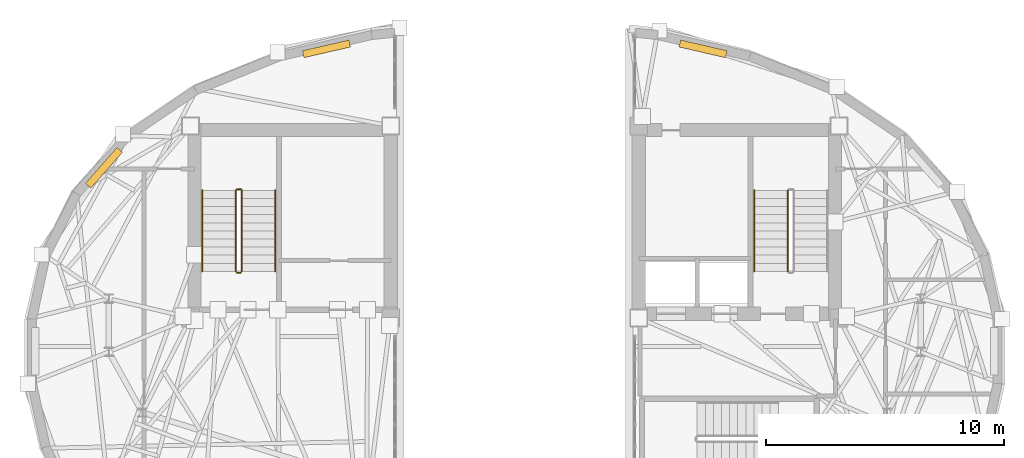
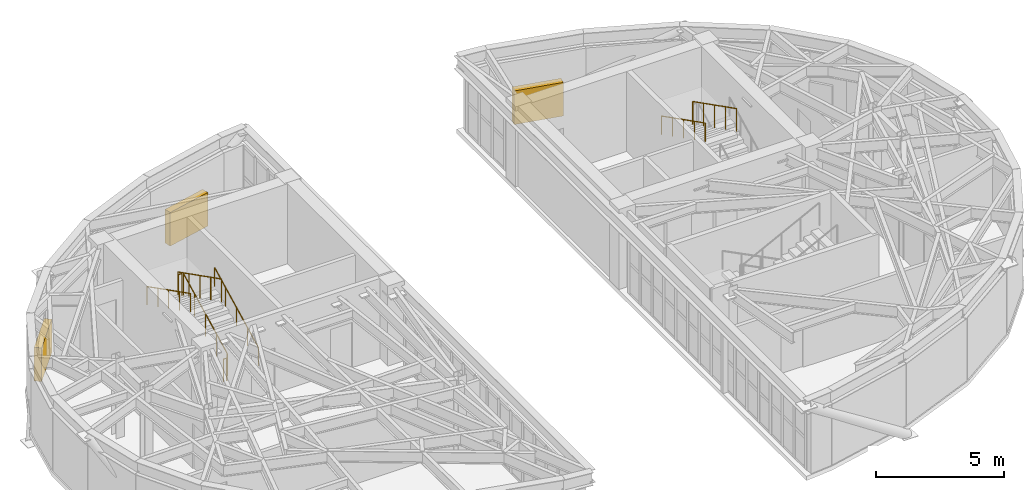
# One storey, part 12 of 13: 8 railings, 3 shading devices.
"""IFC4 building model written with IfcOpenShell, lengths in metres."""

from ifc_helpers import new_model, si_unit, direction, frame, origin, origin_2d, place, context, subcontext, project, spatial, rectangle, circle, extrude, material, type_object, element, save


model = new_model("IFC4")

# Units and contexts
model_context = context("Model", 3, precision=1e-05, world=origin(), true_north=direction((0.0, 1.0)))
body_context = subcontext(model_context, "Body", "Model", "MODEL_VIEW")
ifc_project = project(units=[si_unit("LENGTHUNIT", "METRE"), si_unit("AREAUNIT", "SQUARE_METRE"), si_unit("VOLUMEUNIT", "CUBIC_METRE"), si_unit("PLANEANGLEUNIT", "RADIAN"), si_unit("MASSUNIT", "GRAM", prefix="KILO")], contexts=[model_context])

# Site, building, storey
site_placement = place(None, origin())
site = spatial("IfcSite", under=ifc_project, at=site_placement, CompositionType="ELEMENT")
building_placement = place(site_placement, origin())
building = spatial("IfcBuilding", under=site, at=building_placement, Name="Keldmark Tower", CompositionType="ELEMENT")
storey_placement = place(building_placement, frame((0.0, 0.0, 276.800048828125)))
storey = spatial("IfcBuildingStorey", under=building, at=storey_placement, Name="L78", CompositionType="ELEMENT", Elevation=276.800048828125)

# Shading devices
ifc_material_1 = material(Name="Fluoropolymer-Coated Extruded Aluminum Stormproof Blades", Category="aluminium")
shading_device_type = type_object("IfcShadingDeviceType", Name="Mechanical Floor Acoustic Intake Louvre", PredefinedType="JALOUSIE", material=ifc_material_1)
for number, where, z_axis, x_axis, name in (
    (1, (7.897216796875, 12.6826171875, 0.0), (0.0, 0.0, 1.0), (-0.974444607804, 0.224627928632, 0.0), "L78 Crown Screen Acoustic Louvre E01"),
    (2, (-17.22900390625, 7.69580078125, 0.0), (0.0, 0.0, 1.0), (-0.660958310395, -0.750422622206, 0.0), "L78 Crown Screen Acoustic Louvre W10"),
    (3, (-7.897216796875, 12.6826171875, 0.0), (0.0, 0.0, 1.0), (-0.974444607804, -0.224627928632, 0.0), "L78 Crown Screen Acoustic Louvre W13"),
):
    element("IfcShadingDevice", number, at=place(storey_placement, frame(where, z_axis=z_axis, x_axis=x_axis)), inside=storey, type_object=shading_device_type, Name=name, PredefinedType="JALOUSIE", context=body_context, shape_type="SweptSolid", body=[
        extrude(rectangle(XDim=2.0, YDim=0.300048828125, at=origin_2d()), origin(), (0.0, 0.0, 1.0), 1.60009765625),
    ])

# Railings
ifc_material_2 = material(Name="Painted Steel ASTM A500 Grade B", Category="steel")
railing_type_1 = type_object("IfcRailingType", Name="Painted Steel Stair Well Guard 1100 mm", PredefinedType="GUARDRAIL", material=ifc_material_2)
railing_1_placement = place(storey_placement, frame((-11.449951171875, 3.35009765625, 0.172607421875)))
element("IfcRailing", 4, at=railing_1_placement, inside=storey, type_object=railing_type_1, Name="L78 ST1 stair guard 1", PredefinedType="GUARDRAIL", context=body_context, shape_type="SweptSolid", body=[
    extrude(circle(Radius=0.02392578125, at=origin_2d()), frame((0.0, 0.0, 1.076171875), z_axis=(0.0, 0.89154070688, 0.452940578858), x_axis=(-1.0, 0.0, 0.0)), (0.0, 0.0, 1.0), 3.8134765625),
    extrude(circle(Radius=0.02099609375, at=origin_2d()), origin(), (0.0, 0.0, 1.0), 1.052001953125),
    extrude(circle(Radius=0.02099609375, at=origin_2d()), frame((0.0, 0.85009765625, 0.431884765625)), (0.0, 0.0, 1.0), 1.052001953125),
    extrude(circle(Radius=0.02099609375, at=origin_2d()), frame((0.0, 1.699951171875, 0.86376953125)), (0.0, 0.0, 1.0), 1.052001953125),
    extrude(circle(Radius=0.02099609375, at=origin_2d()), frame((0.0, 2.5498046875, 1.29541015625)), (0.0, 0.0, 1.0), 1.052001953125),
    extrude(circle(Radius=0.02099609375, at=origin_2d()), frame((0.0, 3.39990234375, 1.727294921875)), (0.0, 0.0, 1.0), 1.052001953125),
])
railing_2_placement = place(storey_placement, frame((-11.5, 6.800048828125, 1.89990234375)))
element("IfcRailing", 5, at=railing_2_placement, inside=storey, type_object=railing_type_1, Name="L78 ST1 stair guard 2", PredefinedType="GUARDRAIL", context=body_context, shape_type="SweptSolid", body=[
    extrude(circle(Radius=0.02392578125, at=origin_2d()), frame((0.0, 0.0, 1.076171875), z_axis=(-1.0, 0.0, 0.0), x_axis=(0.0, -1.0, 0.0)), (0.0, 0.0, 1.0), 0.14990234375),
    extrude(circle(Radius=0.02099609375, at=origin_2d()), origin(), (0.0, 0.0, 1.0), 1.052001953125),
    extrude(circle(Radius=0.02099609375, at=origin_2d()), frame((-0.14990234375, 0.0, 0.0)), (0.0, 0.0, 1.0), 1.052001953125),
])
railing_3_placement = place(storey_placement, frame((-11.699951171875, 6.75, 2.07275390625)))
element("IfcRailing", 6, at=railing_3_placement, inside=storey, type_object=railing_type_1, Name="L78 ST1 stair guard 3", PredefinedType="GUARDRAIL", context=body_context, shape_type="SweptSolid", body=[
    extrude(circle(Radius=0.02392578125, at=origin_2d()), frame((0.0, 0.0, 1.076171875), z_axis=(0.0, -0.89154070688, 0.452940578858), x_axis=(1.0, 0.0, 0.0)), (0.0, 0.0, 1.0), 3.8134765625),
    extrude(circle(Radius=0.02099609375, at=origin_2d()), origin(), (0.0, 0.0, 1.0), 1.052001953125),
    extrude(circle(Radius=0.02099609375, at=origin_2d()), frame((0.0, -0.85009765625, 0.431884765625)), (0.0, 0.0, 1.0), 1.052001953125),
    extrude(circle(Radius=0.02099609375, at=origin_2d()), frame((0.0, -1.699951171875, 0.86376953125)), (0.0, 0.0, 1.0), 1.052001953125),
    extrude(circle(Radius=0.02099609375, at=origin_2d()), frame((0.0, -2.5498046875, 1.29541015625)), (0.0, 0.0, 1.0), 1.052001953125),
    extrude(circle(Radius=0.02099609375, at=origin_2d()), frame((0.0, -3.39990234375, 1.727294921875)), (0.0, 0.0, 1.0), 1.052001953125),
])
railing_4_placement = place(storey_placement, frame((-11.5, 3.300048828125, 0.0)))
element("IfcRailing", 7, at=railing_4_placement, inside=storey, type_object=railing_type_1, Name="L78 ST1 stair guard 4", PredefinedType="GUARDRAIL", context=body_context, shape_type="SweptSolid", body=[
    extrude(circle(Radius=0.02392578125, at=origin_2d()), frame((0.0, 0.0, 1.076171875), z_axis=(-1.0, 0.0, 0.0), x_axis=(0.0, -1.0, 0.0)), (0.0, 0.0, 1.0), 0.14990234375),
    extrude(circle(Radius=0.02099609375, at=origin_2d()), origin(), (0.0, 0.0, 1.0), 1.052001953125),
    extrude(circle(Radius=0.02099609375, at=origin_2d()), frame((-0.14990234375, 0.0, 0.0)), (0.0, 0.0, 1.0), 1.052001953125),
])
railing_5_placement = place(storey_placement, frame((11.449951171875, 6.75, 2.07275390625)))
element("IfcRailing", 8, at=railing_5_placement, inside=storey, type_object=railing_type_1, Name="L78 ST2 stair guard 3", PredefinedType="GUARDRAIL", context=body_context, shape_type="SweptSolid", body=[
    extrude(circle(Radius=0.02392578125, at=origin_2d()), frame((0.0, 0.0, 1.076171875), z_axis=(0.0, -0.89154070688, 0.452940578858), x_axis=(1.0, 0.0, 0.0)), (0.0, 0.0, 1.0), 3.8134765625),
    extrude(circle(Radius=0.02099609375, at=origin_2d()), origin(), (0.0, 0.0, 1.0), 1.052001953125),
    extrude(circle(Radius=0.02099609375, at=origin_2d()), frame((0.0, -0.85009765625, 0.431884765625)), (0.0, 0.0, 1.0), 1.052001953125),
    extrude(circle(Radius=0.02099609375, at=origin_2d()), frame((0.0, -1.699951171875, 0.86376953125)), (0.0, 0.0, 1.0), 1.052001953125),
    extrude(circle(Radius=0.02099609375, at=origin_2d()), frame((0.0, -2.5498046875, 1.29541015625)), (0.0, 0.0, 1.0), 1.052001953125),
    extrude(circle(Radius=0.02099609375, at=origin_2d()), frame((0.0, -3.39990234375, 1.727294921875)), (0.0, 0.0, 1.0), 1.052001953125),
])
ifc_material_3 = material(Name="Stainless Steel AISI 316L", Category="steel")
railing_type_2 = type_object("IfcRailingType", Name="Stainless Steel Stair Handrail 900 mm", PredefinedType="HANDRAIL", material=ifc_material_3)
railing_6_placement = place(storey_placement, frame((-10.050048828125, 3.35009765625, 0.172607421875)))
element("IfcRailing", 9, at=railing_6_placement, inside=storey, type_object=railing_type_2, Name="L78 ST1 stair handrail 1", PredefinedType="HANDRAIL", context=body_context, shape_type="SweptSolid", body=[
    extrude(circle(Radius=0.02392578125, at=origin_2d()), frame((0.0, 0.0, 0.8759765625), z_axis=(0.0, 0.89154070688, 0.452940578858), x_axis=(-1.0, 0.0, 0.0)), (0.0, 0.0, 1.0), 3.8134765625),
    extrude(circle(Radius=0.02099609375, at=origin_2d()), origin(), (0.0, 0.0, 1.0), 0.851806640625),
    extrude(circle(Radius=0.02099609375, at=origin_2d()), frame((0.0, 0.85009765625, 0.431884765625)), (0.0, 0.0, 1.0), 0.851806640625),
    extrude(circle(Radius=0.02099609375, at=origin_2d()), frame((0.0, 1.699951171875, 0.86376953125)), (0.0, 0.0, 1.0), 0.851806640625),
    extrude(circle(Radius=0.02099609375, at=origin_2d()), frame((0.0, 2.5498046875, 1.29541015625)), (0.0, 0.0, 1.0), 0.851806640625),
    extrude(circle(Radius=0.02099609375, at=origin_2d()), frame((0.0, 3.39990234375, 1.727294921875)), (0.0, 0.0, 1.0), 0.851806640625),
])
for number, where, name in (
    (10, (-13.10009765625, 6.75, 2.07275390625), "L78 ST1 stair handrail 2"),
    (11, (10.050048828125, 6.75, 2.07275390625), "L78 ST2 stair handrail 2"),
):
    element("IfcRailing", number, at=place(storey_placement, frame(where)), inside=storey, type_object=railing_type_2, Name=name, PredefinedType="HANDRAIL", context=body_context, shape_type="SweptSolid", body=[
        extrude(circle(Radius=0.02392578125, at=origin_2d()), frame((0.0, 0.0, 0.8759765625), z_axis=(0.0, -0.89154070688, 0.452940578858), x_axis=(1.0, 0.0, 0.0)), (0.0, 0.0, 1.0), 3.8134765625),
        extrude(circle(Radius=0.02099609375, at=origin_2d()), origin(), (0.0, 0.0, 1.0), 0.851806640625),
        extrude(circle(Radius=0.02099609375, at=origin_2d()), frame((0.0, -0.85009765625, 0.431884765625)), (0.0, 0.0, 1.0), 0.851806640625),
        extrude(circle(Radius=0.02099609375, at=origin_2d()), frame((0.0, -1.699951171875, 0.86376953125)), (0.0, 0.0, 1.0), 0.851806640625),
        extrude(circle(Radius=0.02099609375, at=origin_2d()), frame((0.0, -2.5498046875, 1.29541015625)), (0.0, 0.0, 1.0), 0.851806640625),
        extrude(circle(Radius=0.02099609375, at=origin_2d()), frame((0.0, -3.39990234375, 1.727294921875)), (0.0, 0.0, 1.0), 0.851806640625),
    ])

save(model, "model.ifc")
